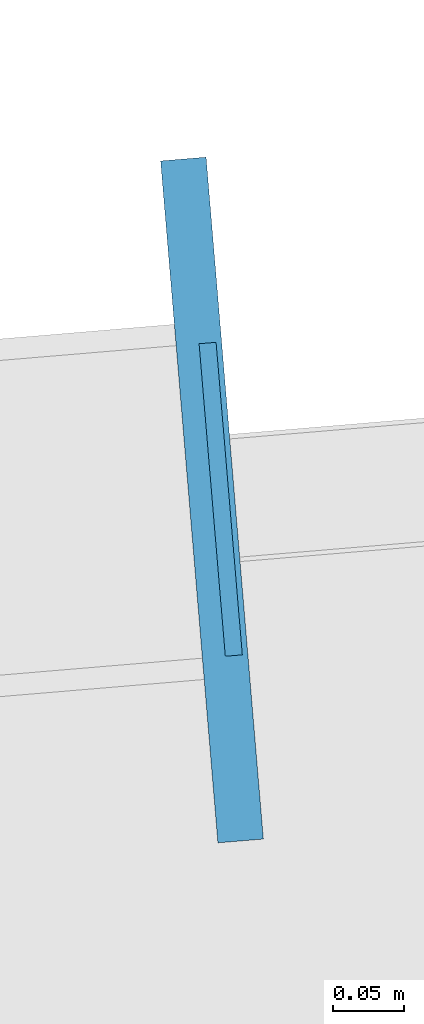
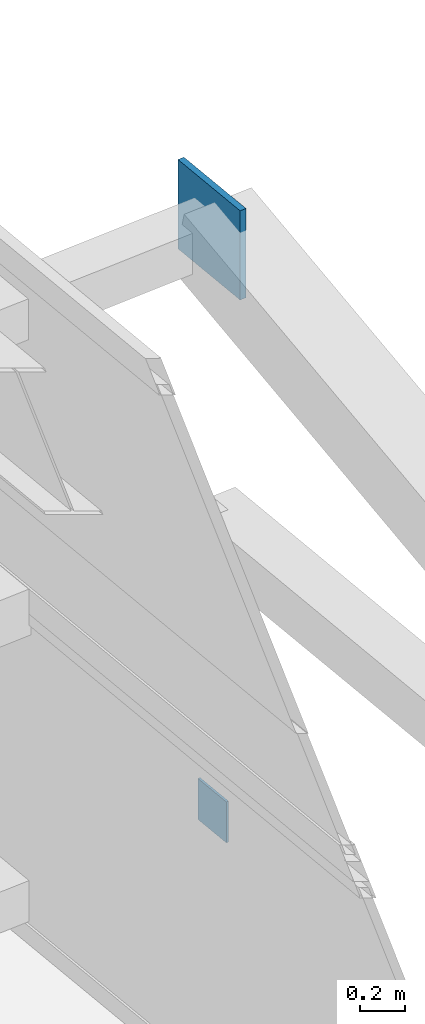
# One storey, part 32 of 38: 2 plates.
"""IFC4 building model written with IfcOpenShell, lengths in metres."""

import ifcopenshell
import ifcopenshell.guid

model = None  # the IFC model being written
_history = None  # IfcOwnerHistory: only IFC2X3 demands one
_inside = {}  # id of a spatial element -> (the spatial element, [elements in it])
_under = {}  # id of a project, library or spatial element -> (it, [spatial elements below it])
_declared = {}  # id of a project -> (the project, [libraries it declares])
_typed = {}  # id of a type object -> (the type object, [elements of that type])
_made_of = {}  # id of a material, layer set ... -> (it, [elements and type objects made of it])


def new_model(schema):
    """Start an empty IFC model of exactly this schema.

    Asked for "IFC4X3", IfcOpenShell would pick the latest addendum, in which some entities
    have other attributes; the version numbers below select the first issue.
    IFC2X3 requires an IfcOwnerHistory on every rooted entity: one is made here for all.
    """
    global model, _history
    if schema == "IFC4X3":
        model = ifcopenshell.file(schema_version=(4, 3, 0, 0))
    else:
        model = ifcopenshell.file(schema=schema)
    _inside.clear()
    _under.clear()
    _declared.clear()
    _typed.clear()
    _made_of.clear()
    _history = None
    if model.schema == "IFC2X3":
        org = make("IfcOrganization", Name="unknown")
        user = make(
            "IfcPersonAndOrganization",
            ThePerson=make("IfcPerson", FamilyName="unknown"),
            TheOrganization=org,
        )
        app = make(
            "IfcApplication",
            ApplicationDeveloper=org,
            Version="unknown",
            ApplicationFullName="unknown",
            ApplicationIdentifier="unknown",
        )
        _history = make(
            "IfcOwnerHistory",
            OwningUser=user,
            OwningApplication=app,
            ChangeAction="ADDED",
            CreationDate=0,
        )
    return model


def make(cls, **values):
    """One entity of the class cls with the attributes given. An attribute that is None is left unset."""
    return model.create_entity(
        cls, **{name: value for name, value in values.items() if value is not None}
    )


def rooted(cls, **values):
    """An entity with a GlobalId (a new one), such as an element, a storey or a relation."""
    return make(cls, GlobalId=ifcopenshell.guid.new(), OwnerHistory=_history, **values)


def si_unit(unit_type, name, prefix=None):
    """IfcSIUnit, for example si_unit("LENGTHUNIT", "METRE", prefix="MILLI")."""
    return make("IfcSIUnit", UnitType=unit_type, Prefix=prefix, Name=name)


def assignment(units):
    """IfcUnitAssignment: the units of a project."""
    return None if units is None else make("IfcUnitAssignment", Units=units)


def point(xyz):
    """IfcCartesianPoint."""
    return None if xyz is None else make("IfcCartesianPoint", Coordinates=xyz)


def direction(xyz):
    """IfcDirection."""
    return None if xyz is None else make("IfcDirection", DirectionRatios=xyz)


def frame(location, z_axis=None, x_axis=None):
    """IfcAxis2Placement3D, a coordinate frame: its origin and axes. An axis left out is left unset."""
    return make(
        "IfcAxis2Placement3D",
        Location=point(location),
        Axis=direction(z_axis),
        RefDirection=direction(x_axis),
    )


def frame_2d(location, x_axis=None):
    """IfcAxis2Placement2D, a coordinate frame in the plane: its origin and x axis."""
    return make(
        "IfcAxis2Placement2D", Location=point(location), RefDirection=direction(x_axis)
    )


def origin():
    """The frame at (0, 0, 0) with its axes left unset."""
    return frame((0.0, 0.0, 0.0))


def origin_2d():
    """The frame at (0, 0) in the plane with its x axis left unset."""
    return frame_2d((0.0, 0.0))


def place(relative_to, where):
    """IfcLocalPlacement: puts the frame where relative to a parent placement (None: the world)."""
    return make(
        "IfcLocalPlacement", PlacementRelTo=relative_to, RelativePlacement=where
    )


def context(
    kind, dimensions, precision=None, world=None, true_north=None, identifier=None
):
    """IfcGeometricRepresentationContext, for example the 3D "Model" context."""
    return make(
        "IfcGeometricRepresentationContext",
        ContextIdentifier=identifier,
        ContextType=kind,
        CoordinateSpaceDimension=dimensions,
        Precision=precision,
        WorldCoordinateSystem=world,
        TrueNorth=true_north,
    )


def subcontext(parent, identifier, kind, view, scale=None):
    """IfcGeometricRepresentationSubContext, for example "Body" below "Model"."""
    return make(
        "IfcGeometricRepresentationSubContext",
        ContextIdentifier=identifier,
        ContextType=kind,
        ParentContext=parent,
        TargetScale=scale,
        TargetView=view,
    )


def project(units=None, contexts=None):
    """IfcProject with its units and contexts."""
    return rooted(
        "IfcProject",
        Name="project",
        RepresentationContexts=contexts,
        UnitsInContext=assignment(units),
    )


def spatial(cls, under=None, at=None, **own):
    """A site, building, storey or space (cls), placed at a placement, below another one or the project."""
    s = rooted(cls, ObjectPlacement=at, **own)
    if under is not None:
        _under.setdefault(under.id(), (under, []))[1].append(s)
    return s


def profile(cls, at=None, kind="AREA", **sizes):
    """A parametric profile (cls). Its sizes go by their IFC names, for example OverallWidth=200.0."""
    return make(cls, ProfileType=kind, Position=at, **sizes)


def rectangle(**sizes):
    """IfcRectangleProfileDef."""
    return profile("IfcRectangleProfileDef", **sizes)


def extrude(swept, where, along, depth):
    """IfcExtrudedAreaSolid: the profile swept, set in the frame where, extruded along a direction by depth."""
    return make(
        "IfcExtrudedAreaSolid",
        SweptArea=swept,
        Position=where,
        ExtrudedDirection=direction(along),
        Depth=depth,
    )


def shape(context_of_items, identifier, shape_type, items):
    """IfcShapeRepresentation: the items that make up one representation, for example the "Body"."""
    return make(
        "IfcShapeRepresentation",
        ContextOfItems=context_of_items,
        RepresentationIdentifier=identifier,
        RepresentationType=shape_type,
        Items=items,
    )


def source(mapping_origin, context_of_items, identifier, shape_type, items):
    """IfcRepresentationMap: a shape defined once, which mapped items show again and again."""
    return make(
        "IfcRepresentationMap",
        MappingOrigin=mapping_origin,
        MappedRepresentation=shape(context_of_items, identifier, shape_type, items),
    )


def transform(
    local_origin,
    x_axis=None,
    y_axis=None,
    z_axis=None,
    scale=None,
    scale2=None,
    scale3=None,
    uniform=True,
):
    """IfcCartesianTransformationOperator3D, or its non-uniform kind. x_axis, y_axis, z_axis: its Axis1, 2, 3."""
    if uniform:
        return make(
            "IfcCartesianTransformationOperator3D",
            Axis1=direction(x_axis),
            Axis2=direction(y_axis),
            LocalOrigin=point(local_origin),
            Scale=scale,
            Axis3=direction(z_axis),
        )
    return make(
        "IfcCartesianTransformationOperator3DnonUniform",
        Axis1=direction(x_axis),
        Axis2=direction(y_axis),
        LocalOrigin=point(local_origin),
        Scale=scale,
        Axis3=direction(z_axis),
        Scale2=scale2,
        Scale3=scale3,
    )


def mapped(mapping_source, mapping_target):
    """IfcMappedItem: shows the shape of a source again, moved by a transform."""
    return make(
        "IfcMappedItem", MappingSource=mapping_source, MappingTarget=mapping_target
    )


def material(Name=None, Category=None):
    """IfcMaterial."""
    return make("IfcMaterial", Name=Name, Category=Category)


def layer(
    of_material, thickness, ventilated=None, Name=None, Category=None, Priority=None
):
    """IfcMaterialLayer: one layer of a wall or slab, of a material (None: an air gap)."""
    return make(
        "IfcMaterialLayer",
        Material=of_material,
        LayerThickness=thickness,
        IsVentilated=ventilated,
        Name=Name,
        Category=Category,
        Priority=Priority,
    )


def layer_set(layers, Name=None):
    """IfcMaterialLayerSet."""
    return make("IfcMaterialLayerSet", MaterialLayers=layers, LayerSetName=Name)


def made_of(thing, what):
    """Note that an element or type object is made of a material, layer set ...; save() writes the relation."""
    if what is not None:
        _made_of.setdefault(what.id(), (what, []))[1].append(thing)
    return thing


def type_object(cls, material=None, **own):
    """A type object (cls), such as IfcWallType, which elements share."""
    return made_of(rooted(cls, **own), material)


def element(
    cls,
    number,
    at=None,
    inside=None,
    cuts=None,
    type_object=None,
    material=None,
    context=None,
    identifier="Body",
    shape_type=None,
    held_by="IfcProductDefinitionShape",
    body=None,
    shapes=None,
    **own,
):
    """One element of the class cls, such as IfcWall. Its Tag is "e" and its number.

    at: its placement. inside: the storey or other place that contains it. cuts: it is an
    opening in that element (IfcRelVoidsElement). A single representation is given by context,
    identifier, shape_type and body (its items); several are given by shapes. held_by: the class
    of the entity that holds the representations. save() writes the other relations.
    """
    e = rooted(cls, Tag="e%d" % number, ObjectPlacement=at, **own)
    if body is not None:
        shapes = [shape(context, identifier, shape_type, body)]
    if shapes is not None:
        e.Representation = make(held_by, Representations=shapes)
    if inside is not None:
        _inside.setdefault(inside.id(), (inside, []))[1].append(e)
    if cuts is not None:
        rooted(
            "IfcRelVoidsElement", RelatingBuildingElement=cuts, RelatedOpeningElement=e
        )
    if type_object is not None:
        _typed.setdefault(type_object.id(), (type_object, []))[1].append(e)
    return made_of(e, material)


def aggregate(whole, parts):
    """IfcRelAggregates: a whole, such as a stair, and the parts it consists of."""
    return rooted("IfcRelAggregates", RelatingObject=whole, RelatedObjects=parts)


def save(model, path):
    """Write the relations noted so far, then the file.

    IfcRelAggregates (storeys below a building ...), IfcRelContainedInSpatialStructure (elements
    in a storey), IfcRelDefinesByType, IfcRelAssociatesMaterial and IfcRelDeclares: one each for
    every whole, place, type object, material and project.
    """
    for whole, parts in _under.values():
        aggregate(whole, parts)
    for where, things in _inside.values():
        rooted(
            "IfcRelContainedInSpatialStructure",
            RelatedElements=things,
            RelatingStructure=where,
        )
    for kind, things in _typed.values():
        rooted("IfcRelDefinesByType", RelatedObjects=things, RelatingType=kind)
    for what, things in _made_of.values():
        rooted("IfcRelAssociatesMaterial", RelatedObjects=things, RelatingMaterial=what)
    for by, libraries in _declared.values():
        rooted("IfcRelDeclares", RelatingContext=by, RelatedDefinitions=libraries)
    model.write(path)


model = new_model("IFC4")

# Units and contexts
model_context = context("Model", 3, precision=1e-05, world=origin(), true_north=direction((0.0, 1.0)))
body_context = subcontext(model_context, "Body", "Model", "MODEL_VIEW")
ifc_project = project(units=[si_unit("LENGTHUNIT", "METRE"), si_unit("AREAUNIT", "SQUARE_METRE"), si_unit("VOLUMEUNIT", "CUBIC_METRE"), si_unit("PLANEANGLEUNIT", "RADIAN"), si_unit("MASSUNIT", "GRAM", prefix="KILO")], contexts=[model_context])

# Site, building, storey
site_placement = place(None, origin())
site = spatial("IfcSite", under=ifc_project, at=site_placement, CompositionType="ELEMENT")
building_placement = place(site_placement, origin())
building = spatial("IfcBuilding", under=site, at=building_placement, Name="Taldren Reach Tower", CompositionType="ELEMENT")
storey_placement = place(building_placement, frame((0.0, 0.0, 168.699951171875)))
storey = spatial("IfcBuildingStorey", under=building, at=storey_placement, Name="L51", CompositionType="ELEMENT", Elevation=168.699951171875)

# Plates
ifc_material = material(Name="Steel Gr 450 (C450L0)", Category="steel")
ifc_layer_1 = layer(ifc_material, 0.031982421875)
ifc_layer_set_1 = layer_set([ifc_layer_1], Name="Steel Gr 450 (C450L0)")
plate_type_1 = type_object("IfcPlateType", Name="PL-GUSSET-32", PredefinedType="SHEET", material=ifc_layer_set_1)
shared_shape_1 = source(origin(), body_context, "Body", "SweptSolid", [
    extrude(rectangle(XDim=0.47998046875, YDim=0.031982421875, at=origin_2d()), origin(), (0.0, 0.0, 1.0), 0.47998046875),
])
plate_1_placement = place(storey_placement, frame((61.140869140625, 33.76171875, 3.110107421875), z_axis=(0.0, 0.0, 1.0), x_axis=(-0.083677843332, 0.99649285925, 0.0)))
element("IfcPlate", 1, at=plate_1_placement, inside=storey, type_object=plate_type_1, Name="Exoskeleton star-node gusset plate B4-E3 L51", PredefinedType="SHEET", context=body_context, shape_type="MappedRepresentation", body=[
    mapped(shared_shape_1, transform((0.0, 0.0, 0.0), scale=1.0)),
])
ifc_layer_2 = layer(ifc_material, 0.011962890625)
ifc_layer_set_2 = layer_set([ifc_layer_2], Name="Steel Gr 450 (C450L0)")
plate_type_2 = type_object("IfcPlateType", Name="PL-CAP-220", PredefinedType="SHEET", material=ifc_layer_set_2)
shared_shape_2 = source(origin(), body_context, "Body", "SweptSolid", [
    extrude(rectangle(XDim=0.011962890625, YDim=0.219970703125, at=origin_2d()), origin(), (0.0, 0.0, 1.0), 0.219970703125),
])
plate_2_placement = place(storey_placement, frame((61.14697265625, 33.76220703125, 0.10986328125), z_axis=(0.0, 0.0, 1.0), x_axis=(0.99649285925, 0.083677843332, 0.0)))
element("IfcPlate", 2, at=plate_2_placement, inside=storey, type_object=plate_type_2, Name="Tie strut end cap plate B4-E3 L51", PredefinedType="SHEET", context=body_context, shape_type="MappedRepresentation", body=[
    mapped(shared_shape_2, transform((0.0, 0.0, 0.0), scale=1.0)),
])

save(model, "model.ifc")
